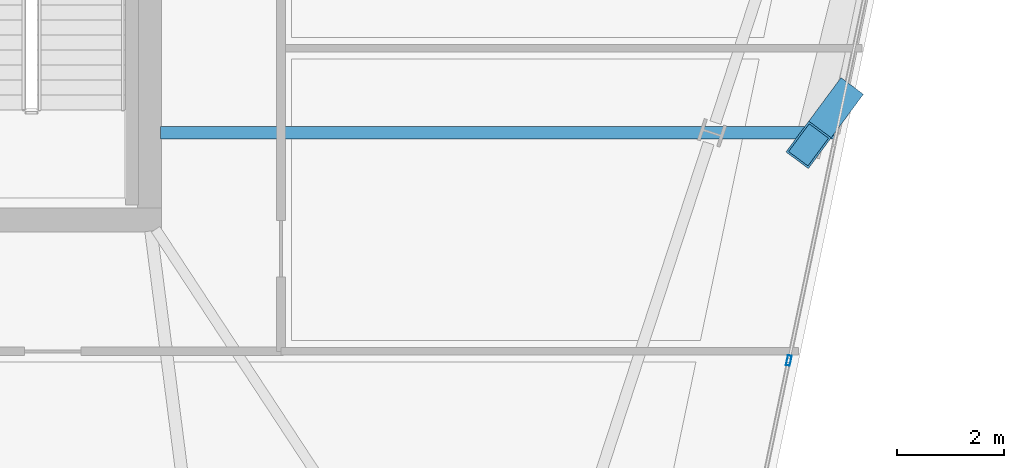
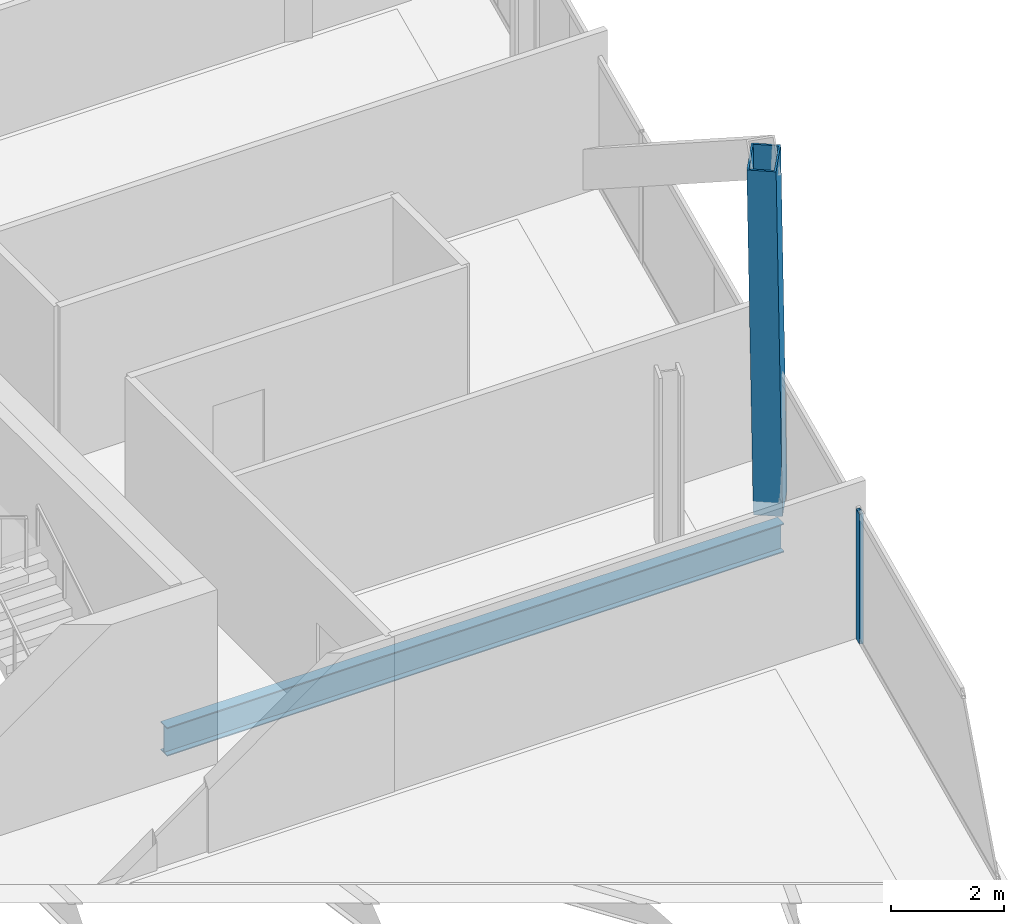
# One storey, part 8 of 24: 2 members, 1 beam, 1 element without a shape of its own.
"""IFC4 building model written with IfcOpenShell, lengths in metres."""

from ifc_helpers import new_model, si_unit, direction, frame, origin, origin_2d, place, context, subcontext, project, spatial, hollow_rectangle, i_section, extrude, material, material_profile, profile_set, type_object, element, aggregate, save


model = new_model("IFC4")

# Units and contexts
model_context = context("Model", 3, precision=1e-05, world=origin(), true_north=direction((0.0, 1.0)))
body_context = subcontext(model_context, "Body", "Model", "MODEL_VIEW")
ifc_project = project(units=[si_unit("LENGTHUNIT", "METRE"), si_unit("AREAUNIT", "SQUARE_METRE"), si_unit("VOLUMEUNIT", "CUBIC_METRE"), si_unit("PLANEANGLEUNIT", "RADIAN"), si_unit("MASSUNIT", "GRAM", prefix="KILO")], contexts=[model_context])

# Site, building, storey
site_placement = place(None, origin())
site = spatial("IfcSite", under=ifc_project, at=site_placement, CompositionType="ELEMENT")
building_placement = place(site_placement, origin())
building = spatial("IfcBuilding", under=site, at=building_placement, Name="Haldenkirk Collegiate Tower", CompositionType="ELEMENT")
storey_placement = place(building_placement, frame((0.0, 0.0, 289.949951171875)))
storey = spatial("IfcBuildingStorey", under=building, at=storey_placement, Name="L73", CompositionType="ELEMENT", Elevation=289.949951171875)

# Beam
ifc_material_1 = material(Name="Steel ASTM A992 Grade 50", Category="steel")
ifc_material_profile_1 = material_profile(ifc_material_1, i_section(OverallWidth=0.22998046875, OverallDepth=0.616943359375, WebThickness=0.01318359375, FlangeThickness=0.022216796875, at=origin_2d()), Name="W24X94")
ifc_profile_set_1 = profile_set([ifc_material_profile_1], Name="Steel ASTM A992 Grade 50")
beam_type = type_object("IfcBeamType", Name="BM-GIRDER-W24X94", PredefinedType="BEAM", material=ifc_profile_set_1)
beam_placement = place(storey_placement, frame((57.760986328125, 19.624267578125, -0.578369140625), z_axis=(-1.0, 0.0, 0.0), x_axis=(0.0, -1.0, 0.0)))
element("IfcBeam", 1, at=beam_placement, inside=storey, type_object=beam_type, Name="L73 primary floor girder 06", PredefinedType="BEAM", context=body_context, shape_type="SweptSolid", body=[
    extrude(i_section(OverallWidth=0.22998046875, OverallDepth=0.616943359375, WebThickness=0.01318359375, FlangeThickness=0.022216796875, at=origin_2d()), origin(), (0.0, 0.0, 1.0), 12.555908203125),
])

# Curtain wall, member
ifc_material_2 = material(Name="Anodised architectural bronze aluminium", Category="aluminium")
curtain_wall_type = type_object("IfcCurtainWallType", Name="CW-SYS2-CONCAVE", PredefinedType="USERDEFINED", material=ifc_material_2)
curtain_wall_placement = place(storey_placement, origin())
curtain_wall = element("IfcCurtainWall", 2, at=curtain_wall_placement, inside=storey, type_object=curtain_wall_type, Name="L73 South concave recessed bronze-anodised curtain wall", ObjectType="UNITISED CURTAIN WALL", PredefinedType="USERDEFINED")
ifc_material_profile_2 = material_profile(ifc_material_2, hollow_rectangle(XDim=0.074951171875, YDim=0.18994140625, WallThickness=0.0048828125, at=origin_2d()), Name="CW-MUL-02")
ifc_profile_set_2 = profile_set([ifc_material_profile_2], Name="Anodised architectural bronze aluminium")
member_type_1 = type_object("IfcMemberType", Name="CW-MUL-02", PredefinedType="MULLION", material=ifc_profile_set_2)
member_1_placement = place(storey_placement, frame((56.91552734375, 15.3818359375, 0.0), z_axis=(0.0, 0.0, 1.0), x_axis=(0.978866833362, -0.204498710371, 0.0)))
member_1 = element("IfcMember", 3, at=member_1_placement, type_object=member_type_1, Name="CW-02 mullion 3", PredefinedType="MULLION", context=body_context, shape_type="SweptSolid", body=[
    extrude(hollow_rectangle(XDim=0.074951171875, YDim=0.18994140625, WallThickness=0.0048828125, at=origin_2d()), origin(), (0.0, 0.0, 1.0), 2.798095703125),
])
aggregate(curtain_wall, [member_1])

# Member
ifc_material_3 = material(Name="Steel ASTM A572 Grade 50", Category="steel")
ifc_material_profile_3 = material_profile(ifc_material_3, hollow_rectangle(XDim=0.52001953125, YDim=0.719970703125, WallThickness=0.035888671875, at=origin_2d()), Name="BOX720X520X36")
ifc_profile_set_3 = profile_set([ifc_material_profile_3], Name="Steel ASTM A572 Grade 50")
member_type_2 = type_object("IfcMemberType", Name="MBR-MEGABRACE-BOX720X520X36", PredefinedType="BRACE", material=ifc_profile_set_3)
member_2_placement = place(storey_placement, frame((57.8837890625, 20.211669921875, -0.280029296875), z_axis=(-0.073457372331, -0.09911673066, 0.992360765122), x_axis=(0.803411504895, -0.595424179726, 0.0)))
element("IfcMember", 4, at=member_2_placement, inside=storey, type_object=member_type_2, Name="Perimeter Mega Brace Z5 L73-L74 SL", PredefinedType="BRACE", context=body_context, shape_type="SweptSolid", body=[
    extrude(hollow_rectangle(XDim=0.52001953125, YDim=0.719970703125, WallThickness=0.035888671875, at=origin_2d()), origin(), (0.0, 0.0, 1.0), 8.1826171875),
])

save(model, "model.ifc")
